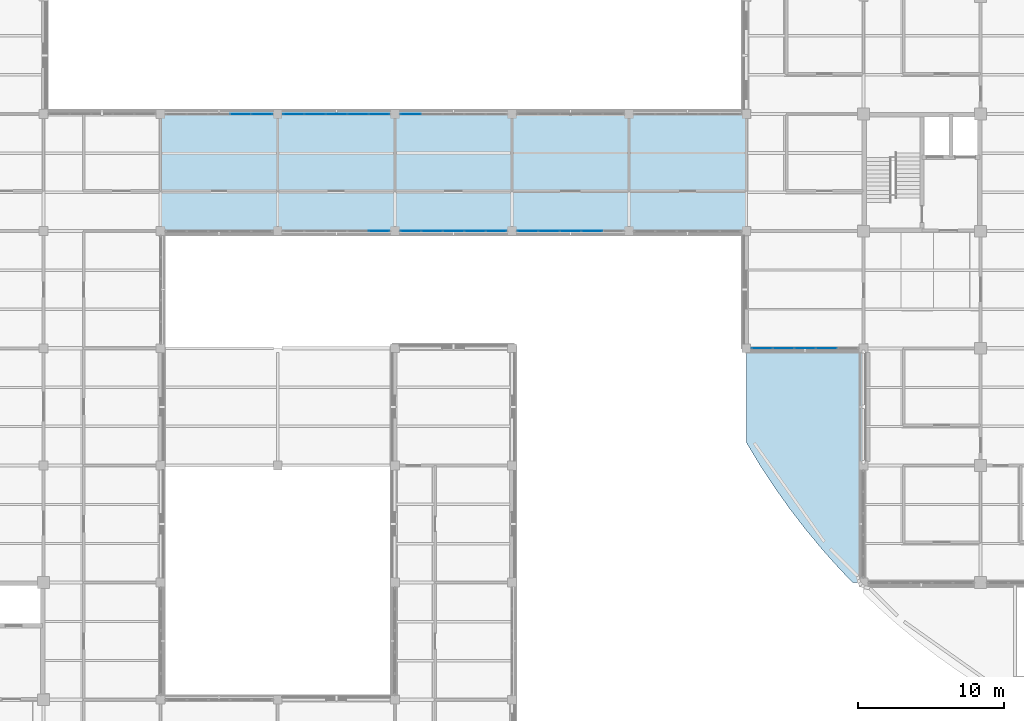
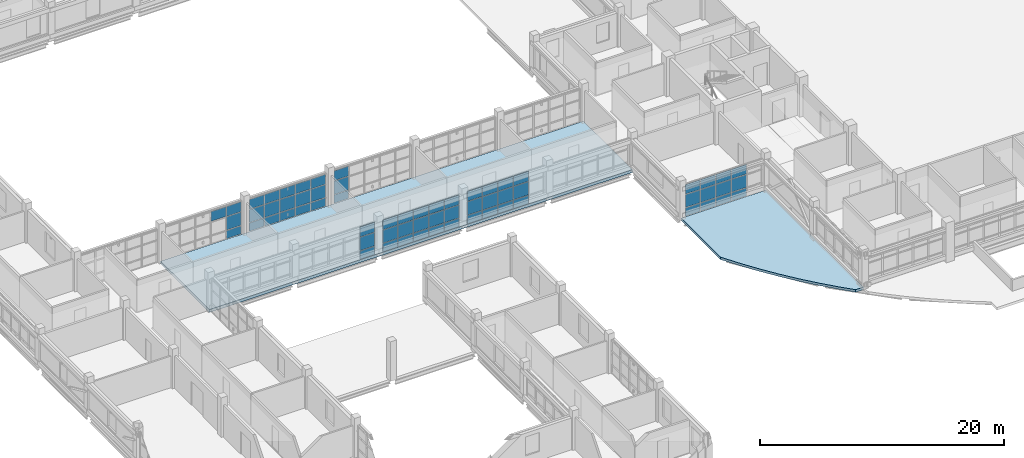
# One storey, part 68 of 126: 64 plates, 2 slabs, 7 elements without a shape of their own.
"""IFC4 building model written with IfcOpenShell, lengths in metres."""

from ifc_helpers import new_model, si_unit, derived_unit, direction, frame, origin, origin_2d, place, context, subcontext, project, spatial, polyline, rectangle, outline, extrude, material, layer, layer_set, type_object, element, aggregate, save


model = new_model("IFC4")

# Units and contexts
model_context = context("Model", 3, precision=1e-05, world=origin(), true_north=direction((0.0, 1.0)))
body_context = subcontext(model_context, "Body", "Model", "MODEL_VIEW")
ifc_project = project(units=[si_unit("LENGTHUNIT", "METRE"), si_unit("AREAUNIT", "SQUARE_METRE"), si_unit("VOLUMEUNIT", "CUBIC_METRE"), si_unit("PLANEANGLEUNIT", "RADIAN"), si_unit("MASSUNIT", "GRAM", prefix="KILO"), derived_unit("THERMALTRANSMITTANCEUNIT", [(si_unit("MASSUNIT", "GRAM", prefix="KILO"), 1), (si_unit("TIMEUNIT", "SECOND"), -3), (si_unit("THERMODYNAMICTEMPERATUREUNIT", "KELVIN"), -1)])], contexts=[model_context])

# Site, building, storey
site_placement = place(None, origin())
site = spatial("IfcSite", under=ifc_project, at=site_placement, CompositionType="ELEMENT")
building_placement = place(site_placement, origin())
building = spatial("IfcBuilding", under=site, at=building_placement, Name="Veyamyaing Civic Hall", CompositionType="ELEMENT")
storey_placement = place(building_placement, frame((0.0, 0.0, 9.89990234375)))
storey = spatial("IfcBuildingStorey", under=building, at=storey_placement, Name="L02", CompositionType="ELEMENT", Elevation=9.89990234375)

# Curtain wall, plates
ifc_material_1 = material(Name="Anodised aluminium 6063-T6", Category="aluminium")
ifc_layer_1 = layer(ifc_material_1, 0.139892578125, Name="Anodised aluminium 6063-T6")
ifc_layer_set_1 = layer_set([ifc_layer_1], Name="Anodised aluminium 6063-T6")
curtain_wall_type = type_object("IfcCurtainWallType", Name="CW-04", PredefinedType="NOTDEFINED", material=ifc_layer_set_1)
curtain_wall_1_placement = place(storey_placement, origin())
curtain_wall_1 = element("IfcCurtainWall", 1, at=curtain_wall_1_placement, inside=storey, type_object=curtain_wall_type, Name="Unitized curtain wall CW-04 L02 S 4.7", PredefinedType="NOTDEFINED")
ifc_material_2 = material(Name="Low-E insulated glass", Category="glass")
ifc_layer_2 = layer(ifc_material_2, 0.028076171875, Name="Low-E insulated glass")
ifc_layer_set_2 = layer_set([ifc_layer_2], Name="Low-E insulated glass")
plate_type_1 = type_object("IfcPlateType", Name="CWP-01", PredefinedType="CURTAIN_PANEL", material=ifc_layer_set_2)
plate_1_placement = place(storey_placement, frame((30.9208984375, 48.0, 0.06005859375), z_axis=(0.0, 0.0, 1.0), x_axis=(1.0, 0.0, 0.0)))
plate_1 = element("IfcPlate", 2, at=plate_1_placement, type_object=plate_type_1, Name="CW-04 panel 5.1", PredefinedType="CURTAIN_PANEL", context=body_context, shape_type="SweptSolid", body=[
    extrude(rectangle(XDim=1.3779296875, YDim=0.028076171875, at=origin_2d()), origin(), (0.0, 0.0, 1.0), 0.81005859375),
])
plate_2_placement = place(storey_placement, frame((30.9208984375, 48.0, 0.93017578125), z_axis=(0.0, 0.0, 1.0), x_axis=(1.0, 0.0, 0.0)))
plate_2 = element("IfcPlate", 3, at=plate_2_placement, type_object=plate_type_1, Name="CW-04 panel 5.2", PredefinedType="CURTAIN_PANEL", context=body_context, shape_type="SweptSolid", body=[
    extrude(rectangle(XDim=1.3779296875, YDim=0.028076171875, at=origin_2d()), origin(), (0.0, 0.0, 1.0), 1.31591796875),
])
plate_3_placement = place(storey_placement, frame((30.9208984375, 48.0, 2.30615234375), z_axis=(0.0, 0.0, 1.0), x_axis=(1.0, 0.0, 0.0)))
plate_3 = element("IfcPlate", 4, at=plate_3_placement, type_object=plate_type_1, Name="CW-04 panel 5.3", PredefinedType="CURTAIN_PANEL", context=body_context, shape_type="SweptSolid", body=[
    extrude(rectangle(XDim=1.3779296875, YDim=0.028076171875, at=origin_2d()), origin(), (0.0, 0.0, 1.0), 0.98095703125),
])
aggregate(curtain_wall_1, [plate_1, plate_2, plate_3])

curtain_wall_2_placement = place(storey_placement, origin())
curtain_wall_2 = element("IfcCurtainWall", 5, at=curtain_wall_2_placement, inside=storey, type_object=curtain_wall_type, Name="Unitized curtain wall CW-04 L02 N 4.7", PredefinedType="NOTDEFINED")
plate_4_placement = place(storey_placement, frame((25.0791015625, 56.0, 0.06005859375), z_axis=(0.0, 0.0, 1.0), x_axis=(1.0, 0.0, 0.0)))
plate_4 = element("IfcPlate", 6, at=plate_4_placement, type_object=plate_type_1, Name="CW-04 panel 1.1", PredefinedType="CURTAIN_PANEL", context=body_context, shape_type="SweptSolid", body=[
    extrude(rectangle(XDim=1.3779296875, YDim=0.028076171875, at=origin_2d()), origin(), (0.0, 0.0, 1.0), 0.81005859375),
])
plate_5_placement = place(storey_placement, frame((25.0791015625, 56.0, 0.929931640625), z_axis=(0.0, 0.0, 1.0), x_axis=(1.0, 0.0, 0.0)))
plate_5 = element("IfcPlate", 7, at=plate_5_placement, type_object=plate_type_1, Name="CW-04 panel 1.2", PredefinedType="CURTAIN_PANEL", context=body_context, shape_type="SweptSolid", body=[
    extrude(rectangle(XDim=1.3779296875, YDim=0.028076171875, at=origin_2d()), origin(), (0.0, 0.0, 1.0), 1.2705078125),
])
plate_6_placement = place(storey_placement, frame((25.0791015625, 56.0, 2.26025390625), z_axis=(0.0, 0.0, 1.0), x_axis=(1.0, 0.0, 0.0)))
plate_6 = element("IfcPlate", 8, at=plate_6_placement, type_object=plate_type_1, Name="CW-04 panel 1.3", PredefinedType="CURTAIN_PANEL", context=body_context, shape_type="SweptSolid", body=[
    extrude(rectangle(XDim=1.3779296875, YDim=0.028076171875, at=origin_2d()), origin(), (0.0, 0.0, 1.0), 0.959716796875),
])
plate_7_placement = place(storey_placement, frame((26.531982421875, 56.0, 0.06005859375), z_axis=(0.0, 0.0, 1.0), x_axis=(1.0, 0.0, 0.0)))
plate_7 = element("IfcPlate", 9, at=plate_7_placement, type_object=plate_type_1, Name="CW-04 panel 2.1", PredefinedType="CURTAIN_PANEL", context=body_context, shape_type="SweptSolid", body=[
    extrude(rectangle(XDim=1.407958984375, YDim=0.028076171875, at=origin_2d()), origin(), (0.0, 0.0, 1.0), 0.81005859375),
])
plate_8_placement = place(storey_placement, frame((26.531982421875, 56.0, 0.929931640625), z_axis=(0.0, 0.0, 1.0), x_axis=(1.0, 0.0, 0.0)))
plate_8 = element("IfcPlate", 10, at=plate_8_placement, type_object=plate_type_1, Name="CW-04 panel 2.2", PredefinedType="CURTAIN_PANEL", context=body_context, shape_type="SweptSolid", body=[
    extrude(rectangle(XDim=1.407958984375, YDim=0.028076171875, at=origin_2d()), origin(), (0.0, 0.0, 1.0), 1.2705078125),
])
plate_9_placement = place(storey_placement, frame((26.531982421875, 56.0, 2.26025390625), z_axis=(0.0, 0.0, 1.0), x_axis=(1.0, 0.0, 0.0)))
plate_9 = element("IfcPlate", 11, at=plate_9_placement, type_object=plate_type_1, Name="CW-04 panel 2.3", PredefinedType="CURTAIN_PANEL", context=body_context, shape_type="SweptSolid", body=[
    extrude(rectangle(XDim=1.407958984375, YDim=0.028076171875, at=origin_2d()), origin(), (0.0, 0.0, 1.0), 0.959716796875),
])
plate_10_placement = place(storey_placement, frame((28.0, 56.0, 0.06005859375), z_axis=(0.0, 0.0, 1.0), x_axis=(1.0, 0.0, 0.0)))
plate_10 = element("IfcPlate", 12, at=plate_10_placement, type_object=plate_type_1, Name="CW-04 panel 3.1", PredefinedType="CURTAIN_PANEL", context=body_context, shape_type="SweptSolid", body=[
    extrude(rectangle(XDim=1.407958984375, YDim=0.028076171875, at=origin_2d()), origin(), (0.0, 0.0, 1.0), 0.81005859375),
])
plate_11_placement = place(storey_placement, frame((28.0, 56.0, 0.929931640625), z_axis=(0.0, 0.0, 1.0), x_axis=(1.0, 0.0, 0.0)))
plate_11 = element("IfcPlate", 13, at=plate_11_placement, type_object=plate_type_1, Name="CW-04 panel 3.2", PredefinedType="CURTAIN_PANEL", context=body_context, shape_type="SweptSolid", body=[
    extrude(rectangle(XDim=1.407958984375, YDim=0.028076171875, at=origin_2d()), origin(), (0.0, 0.0, 1.0), 1.2705078125),
])
plate_12_placement = place(storey_placement, frame((28.0, 56.0, 2.26025390625), z_axis=(0.0, 0.0, 1.0), x_axis=(1.0, 0.0, 0.0)))
plate_12 = element("IfcPlate", 14, at=plate_12_placement, type_object=plate_type_1, Name="CW-04 panel 3.3", PredefinedType="CURTAIN_PANEL", context=body_context, shape_type="SweptSolid", body=[
    extrude(rectangle(XDim=1.407958984375, YDim=0.028076171875, at=origin_2d()), origin(), (0.0, 0.0, 1.0), 0.959716796875),
])
plate_13_placement = place(storey_placement, frame((29.468017578125, 56.0, 0.06005859375), z_axis=(0.0, 0.0, 1.0), x_axis=(1.0, 0.0, 0.0)))
plate_13 = element("IfcPlate", 15, at=plate_13_placement, type_object=plate_type_1, Name="CW-04 panel 4.1", PredefinedType="CURTAIN_PANEL", context=body_context, shape_type="SweptSolid", body=[
    extrude(rectangle(XDim=1.407958984375, YDim=0.028076171875, at=origin_2d()), origin(), (0.0, 0.0, 1.0), 0.81005859375),
])
plate_14_placement = place(storey_placement, frame((29.468017578125, 56.0, 0.929931640625), z_axis=(0.0, 0.0, 1.0), x_axis=(1.0, 0.0, 0.0)))
plate_14 = element("IfcPlate", 16, at=plate_14_placement, type_object=plate_type_1, Name="CW-04 panel 4.2", PredefinedType="CURTAIN_PANEL", context=body_context, shape_type="SweptSolid", body=[
    extrude(rectangle(XDim=1.407958984375, YDim=0.028076171875, at=origin_2d()), origin(), (0.0, 0.0, 1.0), 1.2705078125),
])
plate_15_placement = place(storey_placement, frame((29.468017578125, 56.0, 2.26025390625), z_axis=(0.0, 0.0, 1.0), x_axis=(1.0, 0.0, 0.0)))
plate_15 = element("IfcPlate", 17, at=plate_15_placement, type_object=plate_type_1, Name="CW-04 panel 4.3", PredefinedType="CURTAIN_PANEL", context=body_context, shape_type="SweptSolid", body=[
    extrude(rectangle(XDim=1.407958984375, YDim=0.028076171875, at=origin_2d()), origin(), (0.0, 0.0, 1.0), 0.959716796875),
])
plate_16_placement = place(storey_placement, frame((30.9208984375, 56.0, 0.06005859375), z_axis=(0.0, 0.0, 1.0), x_axis=(1.0, 0.0, 0.0)))
plate_16 = element("IfcPlate", 18, at=plate_16_placement, type_object=plate_type_1, Name="CW-04 panel 5.1", PredefinedType="CURTAIN_PANEL", context=body_context, shape_type="SweptSolid", body=[
    extrude(rectangle(XDim=1.3779296875, YDim=0.028076171875, at=origin_2d()), origin(), (0.0, 0.0, 1.0), 0.81005859375),
])
plate_17_placement = place(storey_placement, frame((30.9208984375, 56.0, 0.929931640625), z_axis=(0.0, 0.0, 1.0), x_axis=(1.0, 0.0, 0.0)))
plate_17 = element("IfcPlate", 19, at=plate_17_placement, type_object=plate_type_1, Name="CW-04 panel 5.2", PredefinedType="CURTAIN_PANEL", context=body_context, shape_type="SweptSolid", body=[
    extrude(rectangle(XDim=1.3779296875, YDim=0.028076171875, at=origin_2d()), origin(), (0.0, 0.0, 1.0), 1.2705078125),
])
plate_18_placement = place(storey_placement, frame((30.9208984375, 56.0, 2.26025390625), z_axis=(0.0, 0.0, 1.0), x_axis=(1.0, 0.0, 0.0)))
plate_18 = element("IfcPlate", 20, at=plate_18_placement, type_object=plate_type_1, Name="CW-04 panel 5.3", PredefinedType="CURTAIN_PANEL", context=body_context, shape_type="SweptSolid", body=[
    extrude(rectangle(XDim=1.3779296875, YDim=0.028076171875, at=origin_2d()), origin(), (0.0, 0.0, 1.0), 0.959716796875),
])
aggregate(curtain_wall_2, [plate_4, plate_5, plate_6, plate_7, plate_8, plate_9, plate_10, plate_11, plate_12, plate_13, plate_14, plate_15, plate_16, plate_17, plate_18])

curtain_wall_3_placement = place(storey_placement, origin())
curtain_wall_3 = element("IfcCurtainWall", 21, at=curtain_wall_3_placement, inside=storey, type_object=curtain_wall_type, Name="Unitized curtain wall CW-04 L02 S 5.7", PredefinedType="NOTDEFINED")
ifc_layer_3 = layer(ifc_material_2, 0.031982421875, Name="Low-E insulated glass")
ifc_layer_set_3 = layer_set([ifc_layer_3], Name="Low-E insulated glass")
plate_type_2 = type_object("IfcPlateType", Name="CWP-02", PredefinedType="CURTAIN_PANEL", material=ifc_layer_set_3)
plate_19_placement = place(storey_placement, frame((33.0791015625, 48.0, 0.06005859375), z_axis=(0.0, 0.0, 1.0), x_axis=(1.0, 0.0, 0.0)))
plate_19 = element("IfcPlate", 22, at=plate_19_placement, type_object=plate_type_2, Name="CW-04 panel 1.1", PredefinedType="CURTAIN_PANEL", context=body_context, shape_type="SweptSolid", body=[
    extrude(rectangle(XDim=1.3779296875, YDim=0.031982421875, at=origin_2d()), origin(), (0.0, 0.0, 1.0), 0.81005859375),
])
plate_20_placement = place(storey_placement, frame((33.0791015625, 48.0, 0.929931640625), z_axis=(0.0, 0.0, 1.0), x_axis=(1.0, 0.0, 0.0)))
plate_20 = element("IfcPlate", 23, at=plate_20_placement, type_object=plate_type_2, Name="CW-04 panel 1.2", PredefinedType="CURTAIN_PANEL", context=body_context, shape_type="SweptSolid", body=[
    extrude(rectangle(XDim=1.3779296875, YDim=0.031982421875, at=origin_2d()), origin(), (0.0, 0.0, 1.0), 1.2705078125),
])
plate_21_placement = place(storey_placement, frame((33.0791015625, 48.0, 2.26025390625), z_axis=(0.0, 0.0, 1.0), x_axis=(1.0, 0.0, 0.0)))
plate_21 = element("IfcPlate", 24, at=plate_21_placement, type_object=plate_type_2, Name="CW-04 panel 1.3", PredefinedType="CURTAIN_PANEL", context=body_context, shape_type="SweptSolid", body=[
    extrude(rectangle(XDim=1.3779296875, YDim=0.031982421875, at=origin_2d()), origin(), (0.0, 0.0, 1.0), 0.959716796875),
])
plate_22_placement = place(storey_placement, frame((34.531982421875, 48.0, 0.06005859375), z_axis=(0.0, 0.0, 1.0), x_axis=(1.0, 0.0, 0.0)))
plate_22 = element("IfcPlate", 25, at=plate_22_placement, type_object=plate_type_2, Name="CW-04 panel 2.1", PredefinedType="CURTAIN_PANEL", context=body_context, shape_type="SweptSolid", body=[
    extrude(rectangle(XDim=1.407958984375, YDim=0.031982421875, at=origin_2d()), origin(), (0.0, 0.0, 1.0), 0.81005859375),
])
plate_23_placement = place(storey_placement, frame((34.531982421875, 48.0, 0.929931640625), z_axis=(0.0, 0.0, 1.0), x_axis=(1.0, 0.0, 0.0)))
plate_23 = element("IfcPlate", 26, at=plate_23_placement, type_object=plate_type_2, Name="CW-04 panel 2.2", PredefinedType="CURTAIN_PANEL", context=body_context, shape_type="SweptSolid", body=[
    extrude(rectangle(XDim=1.407958984375, YDim=0.031982421875, at=origin_2d()), origin(), (0.0, 0.0, 1.0), 1.2705078125),
])
plate_24_placement = place(storey_placement, frame((34.531982421875, 48.0, 2.26025390625), z_axis=(0.0, 0.0, 1.0), x_axis=(1.0, 0.0, 0.0)))
plate_24 = element("IfcPlate", 27, at=plate_24_placement, type_object=plate_type_2, Name="CW-04 panel 2.3", PredefinedType="CURTAIN_PANEL", context=body_context, shape_type="SweptSolid", body=[
    extrude(rectangle(XDim=1.407958984375, YDim=0.031982421875, at=origin_2d()), origin(), (0.0, 0.0, 1.0), 0.959716796875),
])
plate_25_placement = place(storey_placement, frame((36.0, 48.0, 0.06005859375), z_axis=(0.0, 0.0, 1.0), x_axis=(1.0, 0.0, 0.0)))
plate_25 = element("IfcPlate", 28, at=plate_25_placement, type_object=plate_type_2, Name="CW-04 panel 3.1", PredefinedType="CURTAIN_PANEL", context=body_context, shape_type="SweptSolid", body=[
    extrude(rectangle(XDim=1.407958984375, YDim=0.031982421875, at=origin_2d()), origin(), (0.0, 0.0, 1.0), 0.81005859375),
])
plate_26_placement = place(storey_placement, frame((36.0, 48.0, 0.929931640625), z_axis=(0.0, 0.0, 1.0), x_axis=(1.0, 0.0, 0.0)))
plate_26 = element("IfcPlate", 29, at=plate_26_placement, type_object=plate_type_2, Name="CW-04 panel 3.2", PredefinedType="CURTAIN_PANEL", context=body_context, shape_type="SweptSolid", body=[
    extrude(rectangle(XDim=1.407958984375, YDim=0.031982421875, at=origin_2d()), origin(), (0.0, 0.0, 1.0), 1.2705078125),
])
plate_27_placement = place(storey_placement, frame((36.0, 48.0, 2.26025390625), z_axis=(0.0, 0.0, 1.0), x_axis=(1.0, 0.0, 0.0)))
plate_27 = element("IfcPlate", 30, at=plate_27_placement, type_object=plate_type_2, Name="CW-04 panel 3.3", PredefinedType="CURTAIN_PANEL", context=body_context, shape_type="SweptSolid", body=[
    extrude(rectangle(XDim=1.407958984375, YDim=0.031982421875, at=origin_2d()), origin(), (0.0, 0.0, 1.0), 0.959716796875),
])
plate_28_placement = place(storey_placement, frame((37.468017578125, 48.0, 0.06005859375), z_axis=(0.0, 0.0, 1.0), x_axis=(1.0, 0.0, 0.0)))
plate_28 = element("IfcPlate", 31, at=plate_28_placement, type_object=plate_type_2, Name="CW-04 panel 4.1", PredefinedType="CURTAIN_PANEL", context=body_context, shape_type="SweptSolid", body=[
    extrude(rectangle(XDim=1.407958984375, YDim=0.031982421875, at=origin_2d()), origin(), (0.0, 0.0, 1.0), 0.81005859375),
])
plate_29_placement = place(storey_placement, frame((37.468017578125, 48.0, 0.929931640625), z_axis=(0.0, 0.0, 1.0), x_axis=(1.0, 0.0, 0.0)))
plate_29 = element("IfcPlate", 32, at=plate_29_placement, type_object=plate_type_2, Name="CW-04 panel 4.2", PredefinedType="CURTAIN_PANEL", context=body_context, shape_type="SweptSolid", body=[
    extrude(rectangle(XDim=1.407958984375, YDim=0.031982421875, at=origin_2d()), origin(), (0.0, 0.0, 1.0), 1.2705078125),
])
plate_30_placement = place(storey_placement, frame((37.468017578125, 48.0, 2.26025390625), z_axis=(0.0, 0.0, 1.0), x_axis=(1.0, 0.0, 0.0)))
plate_30 = element("IfcPlate", 33, at=plate_30_placement, type_object=plate_type_2, Name="CW-04 panel 4.3", PredefinedType="CURTAIN_PANEL", context=body_context, shape_type="SweptSolid", body=[
    extrude(rectangle(XDim=1.407958984375, YDim=0.031982421875, at=origin_2d()), origin(), (0.0, 0.0, 1.0), 0.959716796875),
])
plate_31_placement = place(storey_placement, frame((38.9208984375, 48.0, 0.06005859375), z_axis=(0.0, 0.0, 1.0), x_axis=(1.0, 0.0, 0.0)))
plate_31 = element("IfcPlate", 34, at=plate_31_placement, type_object=plate_type_2, Name="CW-04 panel 5.1", PredefinedType="CURTAIN_PANEL", context=body_context, shape_type="SweptSolid", body=[
    extrude(rectangle(XDim=1.3779296875, YDim=0.031982421875, at=origin_2d()), origin(), (0.0, 0.0, 1.0), 0.81005859375),
])
plate_32_placement = place(storey_placement, frame((38.9208984375, 48.0, 0.929931640625), z_axis=(0.0, 0.0, 1.0), x_axis=(1.0, 0.0, 0.0)))
plate_32 = element("IfcPlate", 35, at=plate_32_placement, type_object=plate_type_2, Name="CW-04 panel 5.2", PredefinedType="CURTAIN_PANEL", context=body_context, shape_type="SweptSolid", body=[
    extrude(rectangle(XDim=1.3779296875, YDim=0.031982421875, at=origin_2d()), origin(), (0.0, 0.0, 1.0), 1.2705078125),
])
plate_33_placement = place(storey_placement, frame((38.9208984375, 48.0, 2.26025390625), z_axis=(0.0, 0.0, 1.0), x_axis=(1.0, 0.0, 0.0)))
plate_33 = element("IfcPlate", 36, at=plate_33_placement, type_object=plate_type_2, Name="CW-04 panel 5.3", PredefinedType="CURTAIN_PANEL", context=body_context, shape_type="SweptSolid", body=[
    extrude(rectangle(XDim=1.3779296875, YDim=0.031982421875, at=origin_2d()), origin(), (0.0, 0.0, 1.0), 0.959716796875),
])
aggregate(curtain_wall_3, [plate_19, plate_20, plate_21, plate_22, plate_23, plate_24, plate_25, plate_26, plate_27, plate_28, plate_29, plate_30, plate_31, plate_32, plate_33])

curtain_wall_4_placement = place(storey_placement, origin())
curtain_wall_4 = element("IfcCurtainWall", 37, at=curtain_wall_4_placement, inside=storey, type_object=curtain_wall_type, Name="Unitized curtain wall CW-04 L02 N 5.7", PredefinedType="NOTDEFINED")
plate_34_placement = place(storey_placement, frame((33.0791015625, 56.0, 0.06005859375), z_axis=(0.0, 0.0, 1.0), x_axis=(1.0, 0.0, 0.0)))
plate_34 = element("IfcPlate", 38, at=plate_34_placement, type_object=plate_type_2, Name="CW-04 panel 1.1", PredefinedType="CURTAIN_PANEL", context=body_context, shape_type="SweptSolid", body=[
    extrude(rectangle(XDim=1.3779296875, YDim=0.031982421875, at=origin_2d()), origin(), (0.0, 0.0, 1.0), 0.81005859375),
])
plate_35_placement = place(storey_placement, frame((33.0791015625, 56.0, 0.93017578125), z_axis=(0.0, 0.0, 1.0), x_axis=(1.0, 0.0, 0.0)))
plate_35 = element("IfcPlate", 39, at=plate_35_placement, type_object=plate_type_2, Name="CW-04 panel 1.2", PredefinedType="CURTAIN_PANEL", context=body_context, shape_type="SweptSolid", body=[
    extrude(rectangle(XDim=1.3779296875, YDim=0.031982421875, at=origin_2d()), origin(), (0.0, 0.0, 1.0), 1.31396484375),
])
plate_36_placement = place(storey_placement, frame((33.0791015625, 56.0, 2.303955078125), z_axis=(0.0, 0.0, 1.0), x_axis=(1.0, 0.0, 0.0)))
plate_36 = element("IfcPlate", 40, at=plate_36_placement, type_object=plate_type_2, Name="CW-04 panel 1.3", PredefinedType="CURTAIN_PANEL", context=body_context, shape_type="SweptSolid", body=[
    extrude(rectangle(XDim=1.3779296875, YDim=0.031982421875, at=origin_2d()), origin(), (0.0, 0.0, 1.0), 0.97998046875),
])
aggregate(curtain_wall_4, [plate_34, plate_35, plate_36])

curtain_wall_5_placement = place(storey_placement, origin())
curtain_wall_5 = element("IfcCurtainWall", 41, at=curtain_wall_5_placement, inside=storey, type_object=curtain_wall_type, Name="Unitized curtain wall CW-04 L02 S 6.7", PredefinedType="NOTDEFINED")
ifc_layer_4 = layer(ifc_material_2, 0.035888671875, Name="Low-E insulated glass")
ifc_layer_set_4 = layer_set([ifc_layer_4], Name="Low-E insulated glass")
plate_type_3 = type_object("IfcPlateType", Name="CWP-03", PredefinedType="CURTAIN_PANEL", material=ifc_layer_set_4)
plate_37_placement = place(storey_placement, frame((41.0791015625, 48.0, 0.06005859375), z_axis=(0.0, 0.0, 1.0), x_axis=(1.0, 0.0, 0.0)))
plate_37 = element("IfcPlate", 42, at=plate_37_placement, type_object=plate_type_3, Name="CW-04 panel 1.1", PredefinedType="CURTAIN_PANEL", context=body_context, shape_type="SweptSolid", body=[
    extrude(rectangle(XDim=1.3779296875, YDim=0.035888671875, at=origin_2d()), origin(), (0.0, 0.0, 1.0), 0.81005859375),
])
plate_38_placement = place(storey_placement, frame((41.0791015625, 48.0, 0.93017578125), z_axis=(0.0, 0.0, 1.0), x_axis=(1.0, 0.0, 0.0)))
plate_38 = element("IfcPlate", 43, at=plate_38_placement, type_object=plate_type_3, Name="CW-04 panel 1.2", PredefinedType="CURTAIN_PANEL", context=body_context, shape_type="SweptSolid", body=[
    extrude(rectangle(XDim=1.3779296875, YDim=0.035888671875, at=origin_2d()), origin(), (0.0, 0.0, 1.0), 1.31396484375),
])
plate_39_placement = place(storey_placement, frame((41.0791015625, 48.0, 2.303955078125), z_axis=(0.0, 0.0, 1.0), x_axis=(1.0, 0.0, 0.0)))
plate_39 = element("IfcPlate", 44, at=plate_39_placement, type_object=plate_type_3, Name="CW-04 panel 1.3", PredefinedType="CURTAIN_PANEL", context=body_context, shape_type="SweptSolid", body=[
    extrude(rectangle(XDim=1.3779296875, YDim=0.035888671875, at=origin_2d()), origin(), (0.0, 0.0, 1.0), 0.97998046875),
])
plate_40_placement = place(storey_placement, frame((42.531982421875, 48.0, 0.06005859375), z_axis=(0.0, 0.0, 1.0), x_axis=(1.0, 0.0, 0.0)))
plate_40 = element("IfcPlate", 45, at=plate_40_placement, type_object=plate_type_3, Name="CW-04 panel 2.1", PredefinedType="CURTAIN_PANEL", context=body_context, shape_type="SweptSolid", body=[
    extrude(rectangle(XDim=1.407958984375, YDim=0.035888671875, at=origin_2d()), origin(), (0.0, 0.0, 1.0), 0.81005859375),
])
plate_41_placement = place(storey_placement, frame((42.531982421875, 48.0, 0.93017578125), z_axis=(0.0, 0.0, 1.0), x_axis=(1.0, 0.0, 0.0)))
plate_41 = element("IfcPlate", 46, at=plate_41_placement, type_object=plate_type_3, Name="CW-04 panel 2.2", PredefinedType="CURTAIN_PANEL", context=body_context, shape_type="SweptSolid", body=[
    extrude(rectangle(XDim=1.407958984375, YDim=0.035888671875, at=origin_2d()), origin(), (0.0, 0.0, 1.0), 1.31396484375),
])
plate_42_placement = place(storey_placement, frame((42.531982421875, 48.0, 2.303955078125), z_axis=(0.0, 0.0, 1.0), x_axis=(1.0, 0.0, 0.0)))
plate_42 = element("IfcPlate", 47, at=plate_42_placement, type_object=plate_type_3, Name="CW-04 panel 2.3", PredefinedType="CURTAIN_PANEL", context=body_context, shape_type="SweptSolid", body=[
    extrude(rectangle(XDim=1.407958984375, YDim=0.035888671875, at=origin_2d()), origin(), (0.0, 0.0, 1.0), 0.97998046875),
])
plate_43_placement = place(storey_placement, frame((44.0, 48.0, 0.06005859375), z_axis=(0.0, 0.0, 1.0), x_axis=(1.0, 0.0, 0.0)))
plate_43 = element("IfcPlate", 48, at=plate_43_placement, type_object=plate_type_3, Name="CW-04 panel 3.1", PredefinedType="CURTAIN_PANEL", context=body_context, shape_type="SweptSolid", body=[
    extrude(rectangle(XDim=1.407958984375, YDim=0.035888671875, at=origin_2d()), origin(), (0.0, 0.0, 1.0), 0.81005859375),
])
plate_44_placement = place(storey_placement, frame((44.0, 48.0, 0.93017578125), z_axis=(0.0, 0.0, 1.0), x_axis=(1.0, 0.0, 0.0)))
plate_44 = element("IfcPlate", 49, at=plate_44_placement, type_object=plate_type_3, Name="CW-04 panel 3.2", PredefinedType="CURTAIN_PANEL", context=body_context, shape_type="SweptSolid", body=[
    extrude(rectangle(XDim=1.407958984375, YDim=0.035888671875, at=origin_2d()), origin(), (0.0, 0.0, 1.0), 1.31396484375),
])
plate_45_placement = place(storey_placement, frame((44.0, 48.0, 2.303955078125), z_axis=(0.0, 0.0, 1.0), x_axis=(1.0, 0.0, 0.0)))
plate_45 = element("IfcPlate", 50, at=plate_45_placement, type_object=plate_type_3, Name="CW-04 panel 3.3", PredefinedType="CURTAIN_PANEL", context=body_context, shape_type="SweptSolid", body=[
    extrude(rectangle(XDim=1.407958984375, YDim=0.035888671875, at=origin_2d()), origin(), (0.0, 0.0, 1.0), 0.97998046875),
])
plate_46_placement = place(storey_placement, frame((45.468017578125, 48.0, 0.06005859375), z_axis=(0.0, 0.0, 1.0), x_axis=(1.0, 0.0, 0.0)))
plate_46 = element("IfcPlate", 51, at=plate_46_placement, type_object=plate_type_3, Name="CW-04 panel 4.1", PredefinedType="CURTAIN_PANEL", context=body_context, shape_type="SweptSolid", body=[
    extrude(rectangle(XDim=1.407958984375, YDim=0.035888671875, at=origin_2d()), origin(), (0.0, 0.0, 1.0), 0.81005859375),
])
plate_47_placement = place(storey_placement, frame((45.468017578125, 48.0, 0.93017578125), z_axis=(0.0, 0.0, 1.0), x_axis=(1.0, 0.0, 0.0)))
plate_47 = element("IfcPlate", 52, at=plate_47_placement, type_object=plate_type_3, Name="CW-04 panel 4.2", PredefinedType="CURTAIN_PANEL", context=body_context, shape_type="SweptSolid", body=[
    extrude(rectangle(XDim=1.407958984375, YDim=0.035888671875, at=origin_2d()), origin(), (0.0, 0.0, 1.0), 1.31396484375),
])
plate_48_placement = place(storey_placement, frame((45.468017578125, 48.0, 2.303955078125), z_axis=(0.0, 0.0, 1.0), x_axis=(1.0, 0.0, 0.0)))
plate_48 = element("IfcPlate", 53, at=plate_48_placement, type_object=plate_type_3, Name="CW-04 panel 4.3", PredefinedType="CURTAIN_PANEL", context=body_context, shape_type="SweptSolid", body=[
    extrude(rectangle(XDim=1.407958984375, YDim=0.035888671875, at=origin_2d()), origin(), (0.0, 0.0, 1.0), 0.97998046875),
])
aggregate(curtain_wall_5, [plate_37, plate_38, plate_39, plate_40, plate_41, plate_42, plate_43, plate_44, plate_45, plate_46, plate_47, plate_48])

curtain_wall_6_placement = place(storey_placement, origin())
curtain_wall_6 = element("IfcCurtainWall", 54, at=curtain_wall_6_placement, inside=storey, type_object=curtain_wall_type, Name="Unitized curtain wall CW-04 L02 S 8.6", PredefinedType="NOTDEFINED")
ifc_layer_5 = layer(ifc_material_2, 0.02392578125, Name="Low-E insulated glass")
ifc_layer_set_5 = layer_set([ifc_layer_5], Name="Low-E insulated glass")
plate_type_4 = type_object("IfcPlateType", Name="CWP-04", PredefinedType="CURTAIN_PANEL", material=ifc_layer_set_5)
plate_49_placement = place(storey_placement, frame((57.0791015625, 40.0, 0.06005859375), z_axis=(0.0, 0.0, 1.0), x_axis=(1.0, 0.0, 0.0)))
plate_49 = element("IfcPlate", 55, at=plate_49_placement, type_object=plate_type_4, Name="CW-04 panel 1.1", PredefinedType="CURTAIN_PANEL", context=body_context, shape_type="SweptSolid", body=[
    extrude(rectangle(XDim=1.3779296875, YDim=0.02392578125, at=origin_2d()), origin(), (0.0, 0.0, 1.0), 0.81005859375),
])
plate_50_placement = place(storey_placement, frame((57.0791015625, 40.0, 0.93017578125), z_axis=(0.0, 0.0, 1.0), x_axis=(1.0, 0.0, 0.0)))
plate_50 = element("IfcPlate", 56, at=plate_50_placement, type_object=plate_type_4, Name="CW-04 panel 1.2", PredefinedType="CURTAIN_PANEL", context=body_context, shape_type="SweptSolid", body=[
    extrude(rectangle(XDim=1.3779296875, YDim=0.02392578125, at=origin_2d()), origin(), (0.0, 0.0, 1.0), 1.273193359375),
])
plate_51_placement = place(storey_placement, frame((57.0791015625, 40.0, 2.26318359375), z_axis=(0.0, 0.0, 1.0), x_axis=(1.0, 0.0, 0.0)))
plate_51 = element("IfcPlate", 57, at=plate_51_placement, type_object=plate_type_4, Name="CW-04 panel 1.3", PredefinedType="CURTAIN_PANEL", context=body_context, shape_type="SweptSolid", body=[
    extrude(rectangle(XDim=1.3779296875, YDim=0.02392578125, at=origin_2d()), origin(), (0.0, 0.0, 1.0), 0.9609375),
])
plate_52_placement = place(storey_placement, frame((58.531982421875, 40.0, 0.06005859375), z_axis=(0.0, 0.0, 1.0), x_axis=(1.0, 0.0, 0.0)))
plate_52 = element("IfcPlate", 58, at=plate_52_placement, type_object=plate_type_4, Name="CW-04 panel 2.1", PredefinedType="CURTAIN_PANEL", context=body_context, shape_type="SweptSolid", body=[
    extrude(rectangle(XDim=1.407958984375, YDim=0.02392578125, at=origin_2d()), origin(), (0.0, 0.0, 1.0), 0.81005859375),
])
plate_53_placement = place(storey_placement, frame((58.531982421875, 40.0, 0.93017578125), z_axis=(0.0, 0.0, 1.0), x_axis=(1.0, 0.0, 0.0)))
plate_53 = element("IfcPlate", 59, at=plate_53_placement, type_object=plate_type_4, Name="CW-04 panel 2.2", PredefinedType="CURTAIN_PANEL", context=body_context, shape_type="SweptSolid", body=[
    extrude(rectangle(XDim=1.407958984375, YDim=0.02392578125, at=origin_2d()), origin(), (0.0, 0.0, 1.0), 1.273193359375),
])
plate_54_placement = place(storey_placement, frame((58.531982421875, 40.0, 2.26318359375), z_axis=(0.0, 0.0, 1.0), x_axis=(1.0, 0.0, 0.0)))
plate_54 = element("IfcPlate", 60, at=plate_54_placement, type_object=plate_type_4, Name="CW-04 panel 2.3", PredefinedType="CURTAIN_PANEL", context=body_context, shape_type="SweptSolid", body=[
    extrude(rectangle(XDim=1.407958984375, YDim=0.02392578125, at=origin_2d()), origin(), (0.0, 0.0, 1.0), 0.9609375),
])
plate_55_placement = place(storey_placement, frame((60.0, 40.0, 0.06005859375), z_axis=(0.0, 0.0, 1.0), x_axis=(1.0, 0.0, 0.0)))
plate_55 = element("IfcPlate", 61, at=plate_55_placement, type_object=plate_type_4, Name="CW-04 panel 3.1", PredefinedType="CURTAIN_PANEL", context=body_context, shape_type="SweptSolid", body=[
    extrude(rectangle(XDim=1.407958984375, YDim=0.02392578125, at=origin_2d()), origin(), (0.0, 0.0, 1.0), 0.81005859375),
])
plate_56_placement = place(storey_placement, frame((60.0, 40.0, 0.93017578125), z_axis=(0.0, 0.0, 1.0), x_axis=(1.0, 0.0, 0.0)))
plate_56 = element("IfcPlate", 62, at=plate_56_placement, type_object=plate_type_4, Name="CW-04 panel 3.2", PredefinedType="CURTAIN_PANEL", context=body_context, shape_type="SweptSolid", body=[
    extrude(rectangle(XDim=1.407958984375, YDim=0.02392578125, at=origin_2d()), origin(), (0.0, 0.0, 1.0), 1.273193359375),
])
plate_57_placement = place(storey_placement, frame((60.0, 40.0, 2.26318359375), z_axis=(0.0, 0.0, 1.0), x_axis=(1.0, 0.0, 0.0)))
plate_57 = element("IfcPlate", 63, at=plate_57_placement, type_object=plate_type_4, Name="CW-04 panel 3.3", PredefinedType="CURTAIN_PANEL", context=body_context, shape_type="SweptSolid", body=[
    extrude(rectangle(XDim=1.407958984375, YDim=0.02392578125, at=origin_2d()), origin(), (0.0, 0.0, 1.0), 0.9609375),
])
plate_58_placement = place(storey_placement, frame((61.468017578125, 40.0, 0.06005859375), z_axis=(0.0, 0.0, 1.0), x_axis=(1.0, 0.0, 0.0)))
plate_58 = element("IfcPlate", 64, at=plate_58_placement, type_object=plate_type_4, Name="CW-04 panel 4.1", PredefinedType="CURTAIN_PANEL", context=body_context, shape_type="SweptSolid", body=[
    extrude(rectangle(XDim=1.407958984375, YDim=0.02392578125, at=origin_2d()), origin(), (0.0, 0.0, 1.0), 0.81005859375),
])
plate_59_placement = place(storey_placement, frame((61.468017578125, 40.0, 0.93017578125), z_axis=(0.0, 0.0, 1.0), x_axis=(1.0, 0.0, 0.0)))
plate_59 = element("IfcPlate", 65, at=plate_59_placement, type_object=plate_type_4, Name="CW-04 panel 4.2", PredefinedType="CURTAIN_PANEL", context=body_context, shape_type="SweptSolid", body=[
    extrude(rectangle(XDim=1.407958984375, YDim=0.02392578125, at=origin_2d()), origin(), (0.0, 0.0, 1.0), 1.273193359375),
])
plate_60_placement = place(storey_placement, frame((61.468017578125, 40.0, 2.26318359375), z_axis=(0.0, 0.0, 1.0), x_axis=(1.0, 0.0, 0.0)))
plate_60 = element("IfcPlate", 66, at=plate_60_placement, type_object=plate_type_4, Name="CW-04 panel 4.3", PredefinedType="CURTAIN_PANEL", context=body_context, shape_type="SweptSolid", body=[
    extrude(rectangle(XDim=1.407958984375, YDim=0.02392578125, at=origin_2d()), origin(), (0.0, 0.0, 1.0), 0.9609375),
])
aggregate(curtain_wall_6, [plate_49, plate_50, plate_51, plate_52, plate_53, plate_54, plate_55, plate_56, plate_57, plate_58, plate_59, plate_60])

curtain_wall_7_placement = place(storey_placement, origin())
curtain_wall_7 = element("IfcCurtainWall", 67, at=curtain_wall_7_placement, inside=storey, type_object=curtain_wall_type, Name="Unitized curtain wall CW-04 L02 N 3.7", PredefinedType="NOTDEFINED")
ifc_layer_6 = layer(ifc_material_2, 0.02197265625, Name="Low-E insulated glass")
ifc_layer_set_6 = layer_set([ifc_layer_6], Name="Low-E insulated glass")
plate_type_5 = type_object("IfcPlateType", Name="CWP-06", PredefinedType="CURTAIN_PANEL", material=ifc_layer_set_6)
plate_61_placement = place(storey_placement, frame((21.468017578125, 56.0, 2.30615234375), z_axis=(0.0, 0.0, 1.0), x_axis=(1.0, 0.0, 0.0)))
plate_61 = element("IfcPlate", 68, at=plate_61_placement, type_object=plate_type_5, Name="CW-04 panel 4.3", PredefinedType="CURTAIN_PANEL", context=body_context, shape_type="SweptSolid", body=[
    extrude(rectangle(XDim=1.407958984375, YDim=0.02197265625, at=origin_2d()), origin(), (0.0, 0.0, 1.0), 0.98095703125),
])
plate_62_placement = place(storey_placement, frame((22.9208984375, 56.0, 0.06005859375), z_axis=(0.0, 0.0, 1.0), x_axis=(1.0, 0.0, 0.0)))
plate_62 = element("IfcPlate", 69, at=plate_62_placement, type_object=plate_type_5, Name="CW-04 panel 5.1", PredefinedType="CURTAIN_PANEL", context=body_context, shape_type="SweptSolid", body=[
    extrude(rectangle(XDim=1.3779296875, YDim=0.02197265625, at=origin_2d()), origin(), (0.0, 0.0, 1.0), 0.81005859375),
])
plate_63_placement = place(storey_placement, frame((22.9208984375, 56.0, 0.93017578125), z_axis=(0.0, 0.0, 1.0), x_axis=(1.0, 0.0, 0.0)))
plate_63 = element("IfcPlate", 70, at=plate_63_placement, type_object=plate_type_5, Name="CW-04 panel 5.2", PredefinedType="CURTAIN_PANEL", context=body_context, shape_type="SweptSolid", body=[
    extrude(rectangle(XDim=1.3779296875, YDim=0.02197265625, at=origin_2d()), origin(), (0.0, 0.0, 1.0), 1.31591796875),
])
plate_64_placement = place(storey_placement, frame((22.9208984375, 56.0, 2.30615234375), z_axis=(0.0, 0.0, 1.0), x_axis=(1.0, 0.0, 0.0)))
plate_64 = element("IfcPlate", 71, at=plate_64_placement, type_object=plate_type_5, Name="CW-04 panel 5.3", PredefinedType="CURTAIN_PANEL", context=body_context, shape_type="SweptSolid", body=[
    extrude(rectangle(XDim=1.3779296875, YDim=0.02197265625, at=origin_2d()), origin(), (0.0, 0.0, 1.0), 0.98095703125),
])
aggregate(curtain_wall_7, [plate_61, plate_62, plate_63, plate_64])

# Slabs
ifc_material_3 = material(Name="Concrete C40/50", Category="concrete")
ifc_layer_7 = layer(ifc_material_3, 0.284912109375, Name="Concrete C40/50")
ifc_layer_set_7 = layer_set([ifc_layer_7], Name="Concrete C40/50")
slab_type_1 = type_object("IfcSlabType", Name="SL-04", PredefinedType="FLOOR", material=ifc_layer_set_7)
slab_1_placement = place(storey_placement, frame((0.0, 0.0, -0.284912109375)))
element("IfcSlab", 72, at=slab_1_placement, inside=storey, type_object=slab_type_1, Name="Floor slab SL-04 L02 LNKW.1", PredefinedType="FLOOR", context=body_context, shape_type="SweptSolid", body=[
    extrude(outline(polyline([(16.0, 56.0), (56.0, 56.0), (56.0, 48.0), (16.0, 48.0), (16.0, 56.0)])), origin(), (0.0, 0.0, 1.0), 0.284912109375),
])
ifc_layer_8 = layer(ifc_material_3, 0.239990234375, Name="Concrete C40/50")
ifc_layer_set_8 = layer_set([ifc_layer_8], Name="Concrete C40/50")
slab_type_2 = type_object("IfcSlabType", Name="SL-15", PredefinedType="ROOF", material=ifc_layer_set_8)
slab_2_placement = place(storey_placement, frame((0.0, 0.0, -0.239990234375)))
element("IfcSlab", 73, at=slab_2_placement, inside=storey, type_object=slab_type_2, Name="Roof slab SL-15 L02 V1S.3", PredefinedType="ROOF", context=body_context, shape_type="SweptSolid", body=[
    extrude(outline(polyline([(64.0, 40.0), (64.0, 24.0), (63.269775390625, 24.0), (62.3828125, 24.9208984375), (61.1865234375, 26.259521484375), (60.041259765625, 27.6416015625), (58.948486328125, 29.06591796875), (57.909912109375, 30.52978515625), (56.926513671875, 32.03173828125), (56.0, 33.569091796875), (56.0, 40.0), (64.0, 40.0)])), origin(), (0.0, 0.0, 1.0), 0.239990234375),
])

save(model, "model.ifc")
